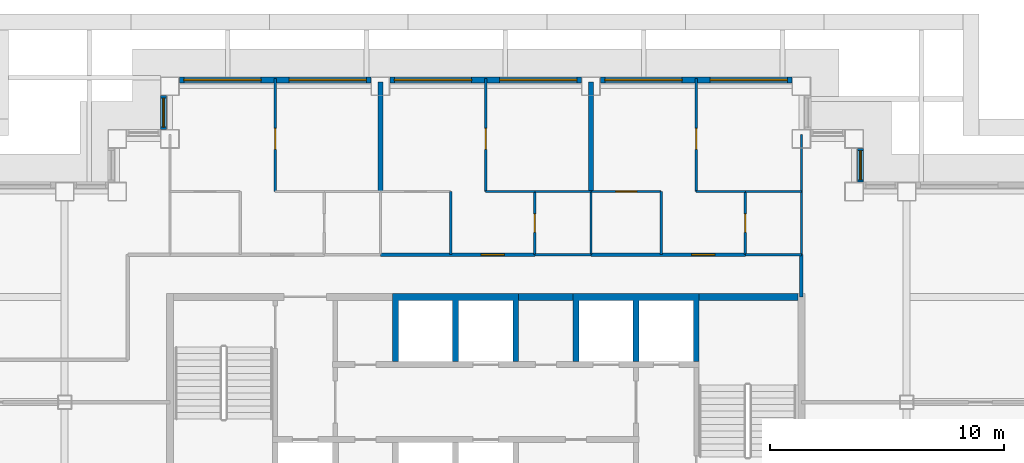
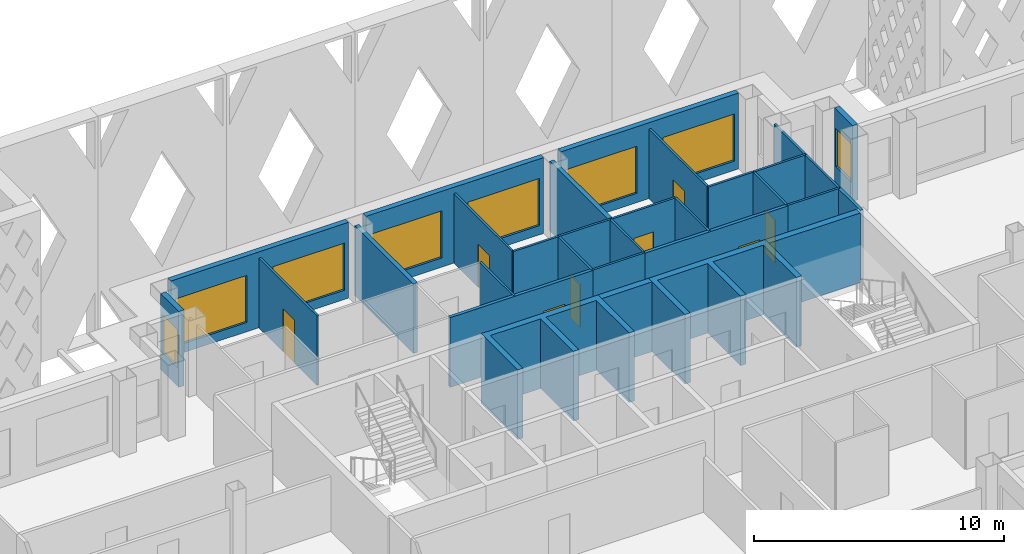
# One storey, part 8 of 18: 31 walls, 8 doors, 8 windows, 16 openings.
"""IFC4 building model written with IfcOpenShell, lengths in metres."""

from ifc_helpers import new_model, si_unit, direction, frame, frame_2d, origin, place, context, subcontext, project, spatial, polyline, rectangle, outline, extrude, material, layer, layer_set, type_object, element, fill, save


model = new_model("IFC4")

# Units and contexts
model_context = context("Model", 3, precision=1e-05, world=origin(), true_north=direction((0.0, 1.0)))
body_context = subcontext(model_context, "Body", "Model", "MODEL_VIEW")
ifc_project = project(units=[si_unit("LENGTHUNIT", "METRE"), si_unit("AREAUNIT", "SQUARE_METRE"), si_unit("VOLUMEUNIT", "CUBIC_METRE"), si_unit("PLANEANGLEUNIT", "RADIAN"), si_unit("MASSUNIT", "GRAM", prefix="KILO")], contexts=[model_context])

# Site, building, storey
site_placement = place(None, origin())
site = spatial("IfcSite", under=ifc_project, at=site_placement, CompositionType="ELEMENT")
building_placement = place(site_placement, origin())
building = spatial("IfcBuilding", under=site, at=building_placement, Name="Caravel Reach Hotel and Residences", CompositionType="ELEMENT")
storey_placement = place(building_placement, frame((0.0, 0.0, 165.39990234375)))
storey = spatial("IfcBuildingStorey", under=building, at=storey_placement, Name="L41", CompositionType="ELEMENT", Elevation=165.39990234375)

# Walls
ifc_material_1 = material(Name="Gypsum board on steel stud", Category="steel")
ifc_layer_1 = layer(ifc_material_1, 0.10009765625)
ifc_layer_set_1 = layer_set([ifc_layer_1], Name="Bathroom pod wall 100 mm")
wall_type_1 = type_object("IfcWallType", Name="Bathroom pod wall 100 mm", PredefinedType="PARTITIONING", material=ifc_layer_set_1)
for number, where, z_axis, x_axis, name in (
    (1, (33.60009765625, 33.300048828125, 0.0), (0.0, 0.0, 1.0), (1.0, 0.0, 0.0), "L41 wall w084"),
    (2, (42.60009765625, 33.300048828125, 0.0), (0.0, 0.0, 1.0), (1.0, 0.0, 0.0), "L41 wall w085"),
    (3, (33.60009765625, 36.0, 0.0), (0.0, 0.0, 1.0), (1.0, 0.0, 0.0), "L41 wall w087"),
    (4, (42.60009765625, 36.0, 0.0), (0.0, 0.0, 1.0), (1.0, 0.0, 0.0), "L41 wall w088"),
):
    element("IfcWall", number, at=place(storey_placement, frame(where, z_axis=z_axis, x_axis=x_axis)), inside=storey, type_object=wall_type_1, Name=name, PredefinedType="PARTITIONING", context=body_context, shape_type="SweptSolid", body=[
        extrude(rectangle(XDim=2.39990234375, YDim=0.10009765625, at=frame_2d((1.199951171875, 0.0))), origin(), (0.0, 0.0, 1.0), 3.400146484375),
    ])

# Wall, opening, door
wall_1_placement = place(storey_placement, frame((33.60009765625, 33.300048828125, 0.0), z_axis=(0.0, 0.0, 1.0), x_axis=(0.0, 1.0, 0.0)))
wall_1 = element("IfcWall", 5, at=wall_1_placement, inside=storey, type_object=wall_type_1, Name="L41 wall w098", PredefinedType="PARTITIONING", context=body_context, shape_type="SweptSolid", body=[
    extrude(rectangle(XDim=2.699951171875, YDim=0.10009765625, at=frame_2d((1.35009765625, 0.0))), origin(), (0.0, 0.0, 1.0), 3.400146484375),
])
opening_1_placement = place(wall_1_placement, frame((0.949951171875, 0.0, 0.0)))
opening_1 = element("IfcOpeningElement", 6, at=opening_1_placement, cuts=wall_1, Name="Opening D41-022", PredefinedType="OPENING", context=body_context, shape_type="SweptSolid", body=[
    extrude(rectangle(XDim=0.800048828125, YDim=2.10009765625, at=frame_2d((0.39990234375, 1.050048828125))), frame((0.0, 0.06005859375, 0.0), z_axis=(0.0, -1.0, 0.0), x_axis=(1.0, 0.0, 0.0)), (0.0, 0.0, 1.0), 0.1201171875),
])
ifc_material_2 = material(Name="Timber and steel door leaf", Category="steel")
door_type_1 = type_object("IfcDoorType", Name="Bathroom door 800 x 2100", OperationType="SINGLE_SWING_LEFT", PredefinedType="DOOR", material=ifc_material_2)
door_1_placement = place(opening_1_placement, origin())
door_1 = element("IfcDoor", 7, at=door_1_placement, inside=storey, type_object=door_type_1, Name="door D41-022", OperationType="SINGLE_SWING_LEFT", OverallHeight=2.10009765625, OverallWidth=0.800048828125, PredefinedType="DOOR", context=body_context, shape_type="SweptSolid", body=[
    extrude(rectangle(XDim=0.800048828125, YDim=2.10009765625, at=frame_2d((0.39990234375, 1.050048828125))), frame((0.0, 0.02490234375, 0.0), z_axis=(0.0, -1.0, 0.0), x_axis=(1.0, 0.0, 0.0)), (0.0, 0.0, 1.0), 0.050048828125),
])
fill(opening_1, door_1)

# Wall
wall_2_placement = place(storey_placement, frame((36.0, 33.300048828125, 0.0), z_axis=(0.0, 0.0, 1.0), x_axis=(0.0, 1.0, 0.0)))
element("IfcWall", 8, at=wall_2_placement, inside=storey, type_object=wall_type_1, Name="L41 wall w099", PredefinedType="PARTITIONING", context=body_context, shape_type="SweptSolid", body=[
    extrude(rectangle(XDim=2.699951171875, YDim=0.10009765625, at=frame_2d((1.35009765625, 0.0))), origin(), (0.0, 0.0, 1.0), 3.400146484375),
])

# Wall, opening, door
wall_3_placement = place(storey_placement, frame((42.60009765625, 33.300048828125, 0.0), z_axis=(0.0, 0.0, 1.0), x_axis=(0.0, 1.0, 0.0)))
wall_3 = element("IfcWall", 9, at=wall_3_placement, inside=storey, type_object=wall_type_1, Name="L41 wall w102", PredefinedType="PARTITIONING", context=body_context, shape_type="SweptSolid", body=[
    extrude(rectangle(XDim=2.699951171875, YDim=0.10009765625, at=frame_2d((1.35009765625, 0.0))), origin(), (0.0, 0.0, 1.0), 3.400146484375),
])
opening_2_placement = place(wall_3_placement, frame((0.949951171875, 0.0, 0.0)))
opening_2 = element("IfcOpeningElement", 10, at=opening_2_placement, cuts=wall_3, Name="Opening D41-026", PredefinedType="OPENING", context=body_context, shape_type="SweptSolid", body=[
    extrude(rectangle(XDim=0.800048828125, YDim=2.10009765625, at=frame_2d((0.39990234375, 1.050048828125))), frame((0.0, 0.06005859375, 0.0), z_axis=(0.0, -1.0, 0.0), x_axis=(1.0, 0.0, 0.0)), (0.0, 0.0, 1.0), 0.1201171875),
])
door_2_placement = place(opening_2_placement, origin())
door_2 = element("IfcDoor", 11, at=door_2_placement, inside=storey, type_object=door_type_1, Name="door D41-026", OperationType="SINGLE_SWING_RIGHT", OverallHeight=2.10009765625, OverallWidth=0.800048828125, PredefinedType="DOOR", context=body_context, shape_type="SweptSolid", body=[
    extrude(rectangle(XDim=0.800048828125, YDim=2.10009765625, at=frame_2d((0.39990234375, 1.050048828125))), frame((0.0, 0.02490234375, 0.0), z_axis=(0.0, -1.0, 0.0), x_axis=(1.0, 0.0, 0.0)), (0.0, 0.0, 1.0), 0.050048828125),
])
fill(opening_2, door_2)

# Walls
wall_4_placement = place(storey_placement, frame((45.0, 33.300048828125, 0.0), z_axis=(0.0, 0.0, 1.0), x_axis=(0.0, 1.0, 0.0)))
element("IfcWall", 12, at=wall_4_placement, inside=storey, type_object=wall_type_1, Name="L41 wall w103", PredefinedType="PARTITIONING", context=body_context, shape_type="SweptSolid", body=[
    extrude(rectangle(XDim=2.699951171875, YDim=0.10009765625, at=frame_2d((1.35009765625, 0.0))), origin(), (0.0, 0.0, 1.0), 3.400146484375),
])
ifc_material_3 = material(Name="Concrete C60", Category="concrete")
ifc_layer_2 = layer(ifc_material_3, 0.300048828125)
ifc_layer_set_2 = layer_set([ifc_layer_2], Name="Core wall 300 mm EI 120")
wall_type_2 = type_object("IfcWallType", Name="Core wall 300 mm EI 120", PredefinedType="SHEAR", material=ifc_layer_set_2)
wall_5_placement = place(storey_placement, frame((32.91064453125, 31.5, 0.0), z_axis=(0.0, 0.0, 1.0), x_axis=(1.0, 0.0, 0.0)))
element("IfcWall", 13, at=wall_5_placement, inside=storey, type_object=wall_type_2, Name="L41 core wall N2", PredefinedType="SHEAR", context=body_context, shape_type="SweptSolid", body=[
    extrude(rectangle(XDim=2.321533203125, YDim=0.300048828125, at=frame_2d((1.16064453125, 0.0))), origin(), (0.0, 0.0, 1.0), 3.400146484375),
])
wall_6_placement = place(storey_placement, frame((40.625, 31.5, 0.0), z_axis=(0.0, 0.0, 1.0), x_axis=(1.0, 0.0, 0.0)))
element("IfcWall", 14, at=wall_6_placement, inside=storey, type_object=wall_type_2, Name="L41 core wall N3", PredefinedType="SHEAR", context=body_context, shape_type="SweptSolid", body=[
    extrude(rectangle(XDim=4.22509765625, YDim=0.300048828125, at=frame_2d((2.112548828125, 0.0))), origin(), (0.0, 0.0, 1.0), 3.400146484375),
])

# Wall, opening, door
ifc_material_4 = material(Name="Gypsum board on steel stud, fire-rated", Category="steel")
ifc_layer_3 = layer(ifc_material_4, 0.14990234375)
ifc_layer_set_3 = layer_set([ifc_layer_3], Name="Corridor wall 150 mm EI 60")
wall_type_3 = type_object("IfcWallType", Name="Corridor wall 150 mm EI 60", PredefinedType="PARTITIONING", material=ifc_layer_set_3)
wall_7_placement = place(storey_placement, frame((27.0, 33.300048828125, 0.0), z_axis=(0.0, 0.0, 1.0), x_axis=(1.0, 0.0, 0.0)))
wall_7 = element("IfcWall", 15, at=wall_7_placement, inside=storey, type_object=wall_type_3, Name="L41 wall w015", PredefinedType="PARTITIONING", context=body_context, shape_type="SweptSolid", body=[
    extrude(rectangle(XDim=6.60009765625, YDim=0.14990234375, at=frame_2d((3.300048828125, 0.0))), origin(), (0.0, 0.0, 1.0), 3.400146484375),
])
opening_3_placement = place(wall_7_placement, frame((4.300048828125, 0.0, 0.0)))
opening_3 = element("IfcOpeningElement", 16, at=opening_3_placement, cuts=wall_7, Name="Opening D41-020", PredefinedType="OPENING", context=body_context, shape_type="SweptSolid", body=[
    extrude(rectangle(XDim=1.0, YDim=2.199951171875, at=frame_2d((0.5, 1.10009765625))), frame((0.0, 0.0849609375, 0.0), z_axis=(0.0, -1.0, 0.0), x_axis=(1.0, 0.0, 0.0)), (0.0, 0.0, 1.0), 0.169921875),
])
ifc_material_5 = material(Name="Steel fire door leaf", Category="steel")
door_type_2 = type_object("IfcDoorType", Name="Flat entrance door 1000 x 2200 EI 60", OperationType="SINGLE_SWING_LEFT", PredefinedType="DOOR", material=ifc_material_5)
door_3_placement = place(opening_3_placement, origin())
door_3 = element("IfcDoor", 17, at=door_3_placement, inside=storey, type_object=door_type_2, Name="door D41-020", OperationType="SINGLE_SWING_LEFT", OverallHeight=2.199951171875, OverallWidth=1.0, PredefinedType="DOOR", context=body_context, shape_type="SweptSolid", body=[
    extrude(rectangle(XDim=1.0, YDim=2.199951171875, at=frame_2d((0.5, 1.10009765625))), frame((0.0, 0.02490234375, 0.0), z_axis=(0.0, -1.0, 0.0), x_axis=(1.0, 0.0, 0.0)), (0.0, 0.0, 1.0), 0.050048828125),
])
fill(opening_3, door_3)

wall_8_placement = place(storey_placement, frame((36.0, 33.300048828125, 0.0), z_axis=(0.0, 0.0, 1.0), x_axis=(1.0, 0.0, 0.0)))
wall_8 = element("IfcWall", 18, at=wall_8_placement, inside=storey, type_object=wall_type_3, Name="L41 wall w017", PredefinedType="PARTITIONING", context=body_context, shape_type="SweptSolid", body=[
    extrude(rectangle(XDim=6.60009765625, YDim=0.14990234375, at=frame_2d((3.300048828125, 0.0))), origin(), (0.0, 0.0, 1.0), 3.400146484375),
])
opening_4_placement = place(wall_8_placement, frame((4.300048828125, 0.0, 0.0)))
opening_4 = element("IfcOpeningElement", 19, at=opening_4_placement, cuts=wall_8, Name="Opening D41-024", PredefinedType="OPENING", context=body_context, shape_type="SweptSolid", body=[
    extrude(rectangle(XDim=1.0, YDim=2.199951171875, at=frame_2d((0.5, 1.10009765625))), frame((0.0, 0.0849609375, 0.0), z_axis=(0.0, -1.0, 0.0), x_axis=(1.0, 0.0, 0.0)), (0.0, 0.0, 1.0), 0.169921875),
])
door_4_placement = place(opening_4_placement, origin())
door_4 = element("IfcDoor", 20, at=door_4_placement, inside=storey, type_object=door_type_2, Name="door D41-024", OperationType="SINGLE_SWING_RIGHT", OverallHeight=2.199951171875, OverallWidth=1.0, PredefinedType="DOOR", context=body_context, shape_type="SweptSolid", body=[
    extrude(rectangle(XDim=1.0, YDim=2.199951171875, at=frame_2d((0.5, 1.10009765625))), frame((0.0, 0.02490234375, 0.0), z_axis=(0.0, -1.0, 0.0), x_axis=(1.0, 0.0, 0.0)), (0.0, 0.0, 1.0), 0.050048828125),
])
fill(opening_4, door_4)

# Wall
wall_9_placement = place(storey_placement, frame((45.0, 31.5, 0.0), z_axis=(0.0, 0.0, 1.0), x_axis=(0.0, 1.0, 0.0)))
element("IfcWall", 21, at=wall_9_placement, inside=storey, type_object=wall_type_3, Name="L41 wall w028", PredefinedType="PARTITIONING", context=body_context, shape_type="SweptSolid", body=[
    extrude(rectangle(XDim=1.800048828125, YDim=0.14990234375, at=frame_2d((0.89990234375, 0.0))), origin(), (0.0, 0.0, 1.0), 3.400146484375),
])

# Wall, opening, window
ifc_material_6 = material(Name="Insulated rainscreen wall, aluminium cladding", Category="aluminium")
ifc_layer_4 = layer(ifc_material_6, 0.25)
ifc_layer_set_4 = layer_set([ifc_layer_4], Name="EW1 Tower rainscreen wall")
wall_type_4 = type_object("IfcWallType", Name="EW1 Tower rainscreen wall", PredefinedType="SOLIDWALL", material=ifc_layer_set_4)
wall_10_placement = place(storey_placement, frame((47.52490234375, 36.39990234375, 0.0), z_axis=(0.0, 0.0, 1.0), x_axis=(0.0, 1.0, 0.0)))
wall_10 = element("IfcWall", 22, at=wall_10_placement, inside=storey, type_object=wall_type_4, Name="External wall L41 E26.1", PredefinedType="SOLIDWALL", context=body_context, shape_type="SweptSolid", body=[
    extrude(rectangle(XDim=1.4501953125, YDim=0.25, at=frame_2d((0.72509765625, 0.0))), origin(), (0.0, 0.0, 1.0), 3.7001953125),
])
opening_5_placement = place(wall_10_placement, frame((0.10009765625, 0.0, 0.89990234375)))
opening_5 = element("IfcOpeningElement", 23, at=opening_5_placement, cuts=wall_10, Name="Opening WN13", PredefinedType="OPENING", context=body_context, shape_type="SweptSolid", body=[
    extrude(rectangle(XDim=1.25, YDim=1.85009765625, at=frame_2d((0.625, 0.925048828125))), frame((0.0, 0.135009765625, 0.0), z_axis=(0.0, -1.0, 0.0), x_axis=(1.0, 0.0, 0.0)), (0.0, 0.0, 1.0), 0.27001953125),
])
ifc_material_7 = material(Name="Dark low-e glazing in black aluminium frame", Category="aluminium")
window_type_1 = type_object("IfcWindowType", Name="Residence bedroom window 1250 x 1850", PartitioningType="SINGLE_PANEL", PredefinedType="WINDOW", material=ifc_material_7)
window_1_placement = place(opening_5_placement, origin())
window_1 = element("IfcWindow", 24, at=window_1_placement, inside=storey, type_object=window_type_1, Name="Window L41 E26.1.1", OverallHeight=1.85009765625, OverallWidth=1.25, PartitioningType="SINGLE_PANEL", PredefinedType="WINDOW", context=body_context, shape_type="SweptSolid", body=[
    extrude(rectangle(XDim=1.25, YDim=1.85009765625, at=frame_2d((0.625, 0.925048828125))), frame((0.0, 0.030029296875, 0.0), z_axis=(0.0, -1.0, 0.0), x_axis=(1.0, 0.0, 0.0)), (0.0, 0.0, 1.0), 0.06005859375),
])
fill(opening_5, window_1)

# Wall, openings, windows
wall_11_placement = place(storey_placement, frame((44.60009765625, 40.77490234375, 0.0), z_axis=(0.0, 0.0, 1.0), x_axis=(-1.0, 0.0, 0.0)))
wall_11 = element("IfcWall", 25, at=wall_11_placement, inside=storey, type_object=wall_type_4, Name="External wall L41 N29.1", PredefinedType="SOLIDWALL", context=body_context, shape_type="SweptSolid", body=[
    extrude(rectangle(XDim=8.2001953125, YDim=0.25, at=frame_2d((4.10009765625, 0.0))), origin(), (0.0, 0.0, 1.0), 3.7001953125),
])
opening_6_placement = place(wall_11_placement, frame((0.199951171875, 0.0, 0.449951171875)))
opening_6 = element("IfcOpeningElement", 26, at=opening_6_placement, cuts=wall_11, Name="Opening WN15", PredefinedType="OPENING", context=body_context, shape_type="SweptSolid", body=[
    extrude(rectangle(XDim=3.300048828125, YDim=2.300048828125, at=frame_2d((1.64990234375, 1.14990234375))), frame((0.0, 0.135009765625, 0.0), z_axis=(0.0, -1.0, 0.0), x_axis=(1.0, 0.0, 0.0)), (0.0, 0.0, 1.0), 0.27001953125),
])
opening_7_placement = place(wall_11_placement, frame((4.699951171875, 0.0, 0.449951171875)))
opening_7 = element("IfcOpeningElement", 27, at=opening_7_placement, cuts=wall_11, Name="Opening WN15", PredefinedType="OPENING", context=body_context, shape_type="SweptSolid", body=[
    extrude(rectangle(XDim=3.300048828125, YDim=2.300048828125, at=frame_2d((1.64990234375, 1.14990234375))), frame((0.0, 0.135009765625, 0.0), z_axis=(0.0, -1.0, 0.0), x_axis=(1.0, 0.0, 0.0)), (0.0, 0.0, 1.0), 0.27001953125),
])
ifc_material_8 = material(Name="Dark low-e glazing in black aluminium frame", Category="aluminium")
window_type_2 = type_object("IfcWindowType", Name="Residence living window 3300 x 2300", PartitioningType="SINGLE_PANEL", PredefinedType="WINDOW", material=ifc_material_8)
window_2_placement = place(opening_6_placement, origin())
window_2 = element("IfcWindow", 28, at=window_2_placement, inside=storey, type_object=window_type_2, Name="Window L41 N29.1.1", OverallHeight=2.300048828125, OverallWidth=3.300048828125, PartitioningType="SINGLE_PANEL", PredefinedType="WINDOW", context=body_context, shape_type="SweptSolid", body=[
    extrude(rectangle(XDim=3.300048828125, YDim=2.300048828125, at=frame_2d((1.64990234375, 1.14990234375))), frame((0.0, 0.030029296875, 0.0), z_axis=(0.0, -1.0, 0.0), x_axis=(1.0, 0.0, 0.0)), (0.0, 0.0, 1.0), 0.06005859375),
])
fill(opening_6, window_2)
window_3_placement = place(opening_7_placement, origin())
window_3 = element("IfcWindow", 29, at=window_3_placement, inside=storey, type_object=window_type_2, Name="Window L41 N29.1.2", OverallHeight=2.300048828125, OverallWidth=3.300048828125, PartitioningType="SINGLE_PANEL", PredefinedType="WINDOW", context=body_context, shape_type="SweptSolid", body=[
    extrude(rectangle(XDim=3.300048828125, YDim=2.300048828125, at=frame_2d((1.64990234375, 1.14990234375))), frame((0.0, 0.030029296875, 0.0), z_axis=(0.0, -1.0, 0.0), x_axis=(1.0, 0.0, 0.0)), (0.0, 0.0, 1.0), 0.06005859375),
])
fill(opening_7, window_3)

wall_12_placement = place(storey_placement, frame((35.60009765625, 40.77490234375, 0.0), z_axis=(0.0, 0.0, 1.0), x_axis=(-1.0, 0.0, 0.0)))
wall_12 = element("IfcWall", 30, at=wall_12_placement, inside=storey, type_object=wall_type_4, Name="External wall L41 N29.2", PredefinedType="SOLIDWALL", context=body_context, shape_type="SweptSolid", body=[
    extrude(rectangle(XDim=8.2001953125, YDim=0.25, at=frame_2d((4.10009765625, 0.0))), origin(), (0.0, 0.0, 1.0), 3.7001953125),
])
opening_8_placement = place(wall_12_placement, frame((0.199951171875, 0.0, 0.449951171875)))
opening_8 = element("IfcOpeningElement", 31, at=opening_8_placement, cuts=wall_12, Name="Opening WN15", PredefinedType="OPENING", context=body_context, shape_type="SweptSolid", body=[
    extrude(rectangle(XDim=3.300048828125, YDim=2.300048828125, at=frame_2d((1.64990234375, 1.14990234375))), frame((0.0, 0.135009765625, 0.0), z_axis=(0.0, -1.0, 0.0), x_axis=(1.0, 0.0, 0.0)), (0.0, 0.0, 1.0), 0.27001953125),
])
opening_9_placement = place(wall_12_placement, frame((4.699951171875, 0.0, 0.449951171875)))
opening_9 = element("IfcOpeningElement", 32, at=opening_9_placement, cuts=wall_12, Name="Opening WN15", PredefinedType="OPENING", context=body_context, shape_type="SweptSolid", body=[
    extrude(rectangle(XDim=3.300048828125, YDim=2.300048828125, at=frame_2d((1.64990234375, 1.14990234375))), frame((0.0, 0.135009765625, 0.0), z_axis=(0.0, -1.0, 0.0), x_axis=(1.0, 0.0, 0.0)), (0.0, 0.0, 1.0), 0.27001953125),
])
window_4_placement = place(opening_8_placement, origin())
window_4 = element("IfcWindow", 33, at=window_4_placement, inside=storey, type_object=window_type_2, Name="Window L41 N29.2.1", OverallHeight=2.300048828125, OverallWidth=3.300048828125, PartitioningType="SINGLE_PANEL", PredefinedType="WINDOW", context=body_context, shape_type="SweptSolid", body=[
    extrude(rectangle(XDim=3.300048828125, YDim=2.300048828125, at=frame_2d((1.64990234375, 1.14990234375))), frame((0.0, 0.030029296875, 0.0), z_axis=(0.0, -1.0, 0.0), x_axis=(1.0, 0.0, 0.0)), (0.0, 0.0, 1.0), 0.06005859375),
])
fill(opening_8, window_4)
window_5_placement = place(opening_9_placement, origin())
window_5 = element("IfcWindow", 34, at=window_5_placement, inside=storey, type_object=window_type_2, Name="Window L41 N29.2.2", OverallHeight=2.300048828125, OverallWidth=3.300048828125, PartitioningType="SINGLE_PANEL", PredefinedType="WINDOW", context=body_context, shape_type="SweptSolid", body=[
    extrude(rectangle(XDim=3.300048828125, YDim=2.300048828125, at=frame_2d((1.64990234375, 1.14990234375))), frame((0.0, 0.030029296875, 0.0), z_axis=(0.0, -1.0, 0.0), x_axis=(1.0, 0.0, 0.0)), (0.0, 0.0, 1.0), 0.06005859375),
])
fill(opening_9, window_5)

wall_13_placement = place(storey_placement, frame((26.60009765625, 40.77490234375, 0.0), z_axis=(0.0, 0.0, 1.0), x_axis=(-1.0, 0.0, 0.0)))
wall_13 = element("IfcWall", 35, at=wall_13_placement, inside=storey, type_object=wall_type_4, Name="External wall L41 N29.3", PredefinedType="SOLIDWALL", context=body_context, shape_type="SweptSolid", body=[
    extrude(rectangle(XDim=8.2001953125, YDim=0.25, at=frame_2d((4.10009765625, 0.0))), origin(), (0.0, 0.0, 1.0), 3.7001953125),
])
opening_10_placement = place(wall_13_placement, frame((0.199951171875, 0.0, 0.449951171875)))
opening_10 = element("IfcOpeningElement", 36, at=opening_10_placement, cuts=wall_13, Name="Opening WN15", PredefinedType="OPENING", context=body_context, shape_type="SweptSolid", body=[
    extrude(rectangle(XDim=3.300048828125, YDim=2.300048828125, at=frame_2d((1.64990234375, 1.14990234375))), frame((0.0, 0.135009765625, 0.0), z_axis=(0.0, -1.0, 0.0), x_axis=(1.0, 0.0, 0.0)), (0.0, 0.0, 1.0), 0.27001953125),
])
opening_11_placement = place(wall_13_placement, frame((4.699951171875, 0.0, 0.449951171875)))
opening_11 = element("IfcOpeningElement", 37, at=opening_11_placement, cuts=wall_13, Name="Opening WN15", PredefinedType="OPENING", context=body_context, shape_type="SweptSolid", body=[
    extrude(rectangle(XDim=3.300048828125, YDim=2.300048828125, at=frame_2d((1.64990234375, 1.14990234375))), frame((0.0, 0.135009765625, 0.0), z_axis=(0.0, -1.0, 0.0), x_axis=(1.0, 0.0, 0.0)), (0.0, 0.0, 1.0), 0.27001953125),
])
window_6_placement = place(opening_10_placement, origin())
window_6 = element("IfcWindow", 38, at=window_6_placement, inside=storey, type_object=window_type_2, Name="Window L41 N29.3.1", OverallHeight=2.300048828125, OverallWidth=3.300048828125, PartitioningType="SINGLE_PANEL", PredefinedType="WINDOW", context=body_context, shape_type="SweptSolid", body=[
    extrude(rectangle(XDim=3.300048828125, YDim=2.300048828125, at=frame_2d((1.64990234375, 1.14990234375))), frame((0.0, 0.030029296875, 0.0), z_axis=(0.0, -1.0, 0.0), x_axis=(1.0, 0.0, 0.0)), (0.0, 0.0, 1.0), 0.06005859375),
])
fill(opening_10, window_6)
window_7_placement = place(opening_11_placement, origin())
window_7 = element("IfcWindow", 39, at=window_7_placement, inside=storey, type_object=window_type_2, Name="Window L41 N29.3.2", OverallHeight=2.300048828125, OverallWidth=3.300048828125, PartitioningType="SINGLE_PANEL", PredefinedType="WINDOW", context=body_context, shape_type="SweptSolid", body=[
    extrude(rectangle(XDim=3.300048828125, YDim=2.300048828125, at=frame_2d((1.64990234375, 1.14990234375))), frame((0.0, 0.030029296875, 0.0), z_axis=(0.0, -1.0, 0.0), x_axis=(1.0, 0.0, 0.0)), (0.0, 0.0, 1.0), 0.06005859375),
])
fill(opening_11, window_7)

# Wall, opening, window
wall_14_placement = place(storey_placement, frame((17.72509765625, 40.10009765625, 0.0), z_axis=(0.0, 0.0, 1.0), x_axis=(0.0, -1.0, 0.0)))
wall_14 = element("IfcWall", 40, at=wall_14_placement, inside=storey, type_object=wall_type_4, Name="External wall L41 W30.1", PredefinedType="SOLIDWALL", context=body_context, shape_type="SweptSolid", body=[
    extrude(rectangle(XDim=1.4501953125, YDim=0.25, at=frame_2d((0.72509765625, 0.0))), origin(), (0.0, 0.0, 1.0), 3.7001953125),
])
opening_12_placement = place(wall_14_placement, frame((0.10009765625, 0.0, 0.89990234375)))
opening_12 = element("IfcOpeningElement", 41, at=opening_12_placement, cuts=wall_14, Name="Opening WN13", PredefinedType="OPENING", context=body_context, shape_type="SweptSolid", body=[
    extrude(rectangle(XDim=1.25, YDim=1.85009765625, at=frame_2d((0.625, 0.925048828125))), frame((0.0, 0.135009765625, 0.0), z_axis=(0.0, -1.0, 0.0), x_axis=(1.0, 0.0, 0.0)), (0.0, 0.0, 1.0), 0.27001953125),
])
window_8_placement = place(opening_12_placement, origin())
window_8 = element("IfcWindow", 42, at=window_8_placement, inside=storey, type_object=window_type_1, Name="Window L41 W30.1.1", OverallHeight=1.85009765625, OverallWidth=1.25, PartitioningType="SINGLE_PANEL", PredefinedType="WINDOW", context=body_context, shape_type="SweptSolid", body=[
    extrude(rectangle(XDim=1.25, YDim=1.85009765625, at=frame_2d((0.625, 0.925048828125))), frame((0.0, 0.030029296875, 0.0), z_axis=(0.0, -1.0, 0.0), x_axis=(1.0, 0.0, 0.0)), (0.0, 0.0, 1.0), 0.06005859375),
])
fill(opening_12, window_8)

# Walls
ifc_material_9 = material(Name="Gypsum board on steel stud", Category="steel")
ifc_layer_5 = layer(ifc_material_9, 0.10009765625)
ifc_layer_set_5 = layer_set([ifc_layer_5], Name="Partition 100 mm")
wall_type_5 = type_object("IfcWallType", Name="Partition 100 mm", PredefinedType="PARTITIONING", material=ifc_layer_set_5)
for number, where, z_axis, x_axis, name in (
    (43, (31.5, 36.0, 0.0), (0.0, 0.0, 1.0), (1.0, 0.0, 0.0), "L41 wall w046"),
    (44, (40.5, 36.0, 0.0), (0.0, 0.0, 1.0), (1.0, 0.0, 0.0), "L41 wall w048"),
):
    element("IfcWall", number, at=place(storey_placement, frame(where, z_axis=z_axis, x_axis=x_axis)), inside=storey, type_object=wall_type_5, Name=name, PredefinedType="PARTITIONING", context=body_context, shape_type="SweptSolid", body=[
        extrude(rectangle(XDim=2.10009765625, YDim=0.10009765625, at=frame_2d((1.050048828125, 0.0))), origin(), (0.0, 0.0, 1.0), 3.400146484375),
    ])

# Wall, opening, door
wall_15_placement = place(storey_placement, frame((36.0, 36.0, 0.0), z_axis=(0.0, 0.0, 1.0), x_axis=(1.0, 0.0, 0.0)))
wall_15 = element("IfcWall", 45, at=wall_15_placement, inside=storey, type_object=wall_type_5, Name="L41 wall w049", PredefinedType="PARTITIONING", context=body_context, shape_type="SweptSolid", body=[
    extrude(rectangle(XDim=3.0, YDim=0.10009765625, at=frame_2d((1.5, 0.0))), origin(), (0.0, 0.0, 1.0), 3.400146484375),
])
opening_13_placement = place(wall_15_placement, frame((1.050048828125, 0.0, 0.0)))
opening_13 = element("IfcOpeningElement", 46, at=opening_13_placement, cuts=wall_15, Name="Opening D41-025", PredefinedType="OPENING", context=body_context, shape_type="SweptSolid", body=[
    extrude(rectangle(XDim=0.89990234375, YDim=2.10009765625, at=frame_2d((0.449951171875, 1.050048828125))), frame((0.0, 0.06005859375, 0.0), z_axis=(0.0, -1.0, 0.0), x_axis=(1.0, 0.0, 0.0)), (0.0, 0.0, 1.0), 0.1201171875),
])
ifc_material_10 = material(Name="Timber and steel door leaf", Category="steel")
door_type_3 = type_object("IfcDoorType", Name="Door 900 x 2100 timber", OperationType="SINGLE_SWING_LEFT", PredefinedType="DOOR", material=ifc_material_10)
door_5_placement = place(opening_13_placement, origin())
door_5 = element("IfcDoor", 47, at=door_5_placement, inside=storey, type_object=door_type_3, Name="door D41-025", OperationType="SINGLE_SWING_LEFT", OverallHeight=2.10009765625, OverallWidth=0.89990234375, PredefinedType="DOOR", context=body_context, shape_type="SweptSolid", body=[
    extrude(rectangle(XDim=0.89990234375, YDim=2.10009765625, at=frame_2d((0.449951171875, 1.050048828125))), frame((0.0, 0.02490234375, 0.0), z_axis=(0.0, -1.0, 0.0), x_axis=(1.0, 0.0, 0.0)), (0.0, 0.0, 1.0), 0.050048828125),
])
fill(opening_13, door_5)

wall_16_placement = place(storey_placement, frame((22.5, 36.0, 0.0), z_axis=(0.0, 0.0, 1.0), x_axis=(0.0, 1.0, 0.0)))
wall_16 = element("IfcWall", 48, at=wall_16_placement, inside=storey, type_object=wall_type_5, Name="L41 wall w057", PredefinedType="PARTITIONING", context=body_context, shape_type="SweptSolid", body=[
    extrude(rectangle(XDim=4.840087890625, YDim=0.10009765625, at=frame_2d((2.419921875, 0.0))), origin(), (0.0, 0.0, 1.0), 3.400146484375),
])
opening_14_placement = place(wall_16_placement, frame((1.800048828125, 0.0, 0.0)))
opening_14 = element("IfcOpeningElement", 49, at=opening_14_placement, cuts=wall_16, Name="Opening D41-019", PredefinedType="OPENING", context=body_context, shape_type="SweptSolid", body=[
    extrude(rectangle(XDim=0.89990234375, YDim=2.10009765625, at=frame_2d((0.449951171875, 1.050048828125))), frame((0.0, 0.06005859375, 0.0), z_axis=(0.0, -1.0, 0.0), x_axis=(1.0, 0.0, 0.0)), (0.0, 0.0, 1.0), 0.1201171875),
])
door_6_placement = place(opening_14_placement, origin())
door_6 = element("IfcDoor", 50, at=door_6_placement, inside=storey, type_object=door_type_3, Name="door D41-019", OperationType="SINGLE_SWING_LEFT", OverallHeight=2.10009765625, OverallWidth=0.89990234375, PredefinedType="DOOR", context=body_context, shape_type="SweptSolid", body=[
    extrude(rectangle(XDim=0.89990234375, YDim=2.10009765625, at=frame_2d((0.449951171875, 1.050048828125))), frame((0.0, 0.02490234375, 0.0), z_axis=(0.0, -1.0, 0.0), x_axis=(1.0, 0.0, 0.0)), (0.0, 0.0, 1.0), 0.050048828125),
])
fill(opening_14, door_6)

# Wall
wall_17_placement = place(storey_placement, frame((30.0, 33.300048828125, 0.0), z_axis=(0.0, 0.0, 1.0), x_axis=(0.0, 1.0, 0.0)))
element("IfcWall", 51, at=wall_17_placement, inside=storey, type_object=wall_type_5, Name="L41 wall w059", PredefinedType="PARTITIONING", context=body_context, shape_type="SweptSolid", body=[
    extrude(rectangle(XDim=2.699951171875, YDim=0.10009765625, at=frame_2d((1.35009765625, 0.0))), origin(), (0.0, 0.0, 1.0), 3.400146484375),
])

# Wall, opening, door
wall_18_placement = place(storey_placement, frame((31.5, 36.0, 0.0), z_axis=(0.0, 0.0, 1.0), x_axis=(0.0, 1.0, 0.0)))
wall_18 = element("IfcWall", 52, at=wall_18_placement, inside=storey, type_object=wall_type_5, Name="L41 wall w060", PredefinedType="PARTITIONING", context=body_context, shape_type="SweptSolid", body=[
    extrude(rectangle(XDim=4.840087890625, YDim=0.10009765625, at=frame_2d((2.419921875, 0.0))), origin(), (0.0, 0.0, 1.0), 3.400146484375),
])
opening_15_placement = place(wall_18_placement, frame((1.800048828125, 0.0, 0.0)))
opening_15 = element("IfcOpeningElement", 53, at=opening_15_placement, cuts=wall_18, Name="Opening D41-023", PredefinedType="OPENING", context=body_context, shape_type="SweptSolid", body=[
    extrude(rectangle(XDim=0.89990234375, YDim=2.10009765625, at=frame_2d((0.449951171875, 1.050048828125))), frame((0.0, 0.06005859375, 0.0), z_axis=(0.0, -1.0, 0.0), x_axis=(1.0, 0.0, 0.0)), (0.0, 0.0, 1.0), 0.1201171875),
])
door_7_placement = place(opening_15_placement, origin())
door_7 = element("IfcDoor", 54, at=door_7_placement, inside=storey, type_object=door_type_3, Name="door D41-023", OperationType="SINGLE_SWING_LEFT", OverallHeight=2.10009765625, OverallWidth=0.89990234375, PredefinedType="DOOR", context=body_context, shape_type="SweptSolid", body=[
    extrude(rectangle(XDim=0.89990234375, YDim=2.10009765625, at=frame_2d((0.449951171875, 1.050048828125))), frame((0.0, 0.02490234375, 0.0), z_axis=(0.0, -1.0, 0.0), x_axis=(1.0, 0.0, 0.0)), (0.0, 0.0, 1.0), 0.050048828125),
])
fill(opening_15, door_7)

# Wall
wall_19_placement = place(storey_placement, frame((39.0, 33.300048828125, 0.0), z_axis=(0.0, 0.0, 1.0), x_axis=(0.0, 1.0, 0.0)))
element("IfcWall", 55, at=wall_19_placement, inside=storey, type_object=wall_type_5, Name="L41 wall w063", PredefinedType="PARTITIONING", context=body_context, shape_type="SweptSolid", body=[
    extrude(rectangle(XDim=2.699951171875, YDim=0.10009765625, at=frame_2d((1.35009765625, 0.0))), origin(), (0.0, 0.0, 1.0), 3.400146484375),
])

# Wall, opening, door
wall_20_placement = place(storey_placement, frame((40.5, 36.0, 0.0), z_axis=(0.0, 0.0, 1.0), x_axis=(0.0, 1.0, 0.0)))
wall_20 = element("IfcWall", 56, at=wall_20_placement, inside=storey, type_object=wall_type_5, Name="L41 wall w067", PredefinedType="PARTITIONING", context=body_context, shape_type="SweptSolid", body=[
    extrude(rectangle(XDim=4.840087890625, YDim=0.10009765625, at=frame_2d((2.419921875, 0.0))), origin(), (0.0, 0.0, 1.0), 3.400146484375),
])
opening_16_placement = place(wall_20_placement, frame((1.800048828125, 0.0, 0.0)))
opening_16 = element("IfcOpeningElement", 57, at=opening_16_placement, cuts=wall_20, Name="Opening D41-027", PredefinedType="OPENING", context=body_context, shape_type="SweptSolid", body=[
    extrude(rectangle(XDim=0.89990234375, YDim=2.10009765625, at=frame_2d((0.449951171875, 1.050048828125))), frame((0.0, 0.06005859375, 0.0), z_axis=(0.0, -1.0, 0.0), x_axis=(1.0, 0.0, 0.0)), (0.0, 0.0, 1.0), 0.1201171875),
])
door_8_placement = place(opening_16_placement, origin())
door_8 = element("IfcDoor", 58, at=door_8_placement, inside=storey, type_object=door_type_3, Name="door D41-027", OperationType="SINGLE_SWING_LEFT", OverallHeight=2.10009765625, OverallWidth=0.89990234375, PredefinedType="DOOR", context=body_context, shape_type="SweptSolid", body=[
    extrude(rectangle(XDim=0.89990234375, YDim=2.10009765625, at=frame_2d((0.449951171875, 1.050048828125))), frame((0.0, 0.02490234375, 0.0), z_axis=(0.0, -1.0, 0.0), x_axis=(1.0, 0.0, 0.0)), (0.0, 0.0, 1.0), 0.050048828125),
])
fill(opening_16, door_8)

# Walls
wall_21_placement = place(storey_placement, frame((45.0, 36.0009765625, 0.0), z_axis=(0.0, 0.0, 1.0), x_axis=(0.0, 1.0, 0.0)))
element("IfcWall", 59, at=wall_21_placement, inside=storey, type_object=wall_type_5, Name="L41 wall w071", PredefinedType="PARTITIONING", context=body_context, shape_type="SweptSolid", body=[
    extrude(rectangle(XDim=2.43896484375, YDim=0.10009765625, at=frame_2d((1.219482421875, 0.0))), origin(), (0.0, 0.0, 1.0), 3.400146484375),
])
ifc_material_11 = material(Name="Autoclaved aerated block wall")
ifc_layer_6 = layer(ifc_material_11, 0.199951171875)
ifc_layer_set_6 = layer_set([ifc_layer_6], Name="Party wall 200 mm EI 60")
wall_type_6 = type_object("IfcWallType", Name="Party wall 200 mm EI 60", PredefinedType="PARTITIONING", material=ifc_layer_set_6)
for number, where, z_axis, x_axis, name in (
    (60, (27.0, 36.0, 0.0), (0.0, 0.0, 1.0), (0.0, 1.0, 0.0), "L41 wall w076"),
    (61, (36.0, 36.0, 0.0), (0.0, 0.0, 1.0), (0.0, 1.0, 0.0), "L41 wall w077"),
):
    element("IfcWall", number, at=place(storey_placement, frame(where, z_axis=z_axis, x_axis=x_axis)), inside=storey, type_object=wall_type_6, Name=name, PredefinedType="PARTITIONING", context=body_context, shape_type="SweptSolid", body=[
        extrude(rectangle(XDim=4.68994140625, YDim=0.199951171875, at=frame_2d((2.344970703125, 0.0))), origin(), (0.0, 0.0, 1.0), 3.400146484375),
    ])
ifc_material_12 = material(Name="Concrete C60", Category="concrete")
ifc_layer_7 = layer(ifc_material_12, 0.25)
ifc_layer_set_7 = layer_set([ifc_layer_7], Name="Shaft wall 250 mm EI 120")
wall_type_7 = type_object("IfcWallType", Name="Shaft wall 250 mm EI 120", PredefinedType="SHEAR", material=ifc_layer_set_7)
wall_22_placement = place(storey_placement, origin())
element("IfcWall", 62, at=wall_22_placement, inside=storey, type_object=wall_type_7, Name="L41 lift shaft wall N1", PredefinedType="SHEAR", context=body_context, shape_type="SweptSolid", body=[
    extrude(outline(polyline([(27.517822265625, 28.72509765625), (27.767822265625, 28.72509765625), (27.767822265625, 31.35009765625), (30.08935546875, 31.35009765625), (30.08935546875, 28.72509765625), (30.33935546875, 28.72509765625), (30.33935546875, 31.35009765625), (32.66064453125, 31.35009765625), (32.66064453125, 28.72509765625), (32.91064453125, 28.72509765625), (32.91064453125, 31.64990234375), (27.517822265625, 31.64990234375), (27.517822265625, 28.72509765625)])), origin(), (0.0, 0.0, 1.0), 3.400146484375),
])
wall_23_placement = place(storey_placement, origin())
element("IfcWall", 63, at=wall_23_placement, inside=storey, type_object=wall_type_7, Name="L41 lift shaft wall N2", PredefinedType="SHEAR", context=body_context, shape_type="SweptSolid", body=[
    extrude(outline(polyline([(35.232177734375, 28.72509765625), (35.482177734375, 28.72509765625), (35.482177734375, 31.35009765625), (37.803466796875, 31.35009765625), (37.803466796875, 28.72509765625), (38.053466796875, 28.72509765625), (38.053466796875, 31.35009765625), (40.375, 31.35009765625), (40.375, 28.72509765625), (40.625, 28.72509765625), (40.625, 31.64990234375), (35.232177734375, 31.64990234375), (35.232177734375, 28.72509765625)])), origin(), (0.0, 0.0, 1.0), 3.400146484375),
])

save(model, "model.ifc")
